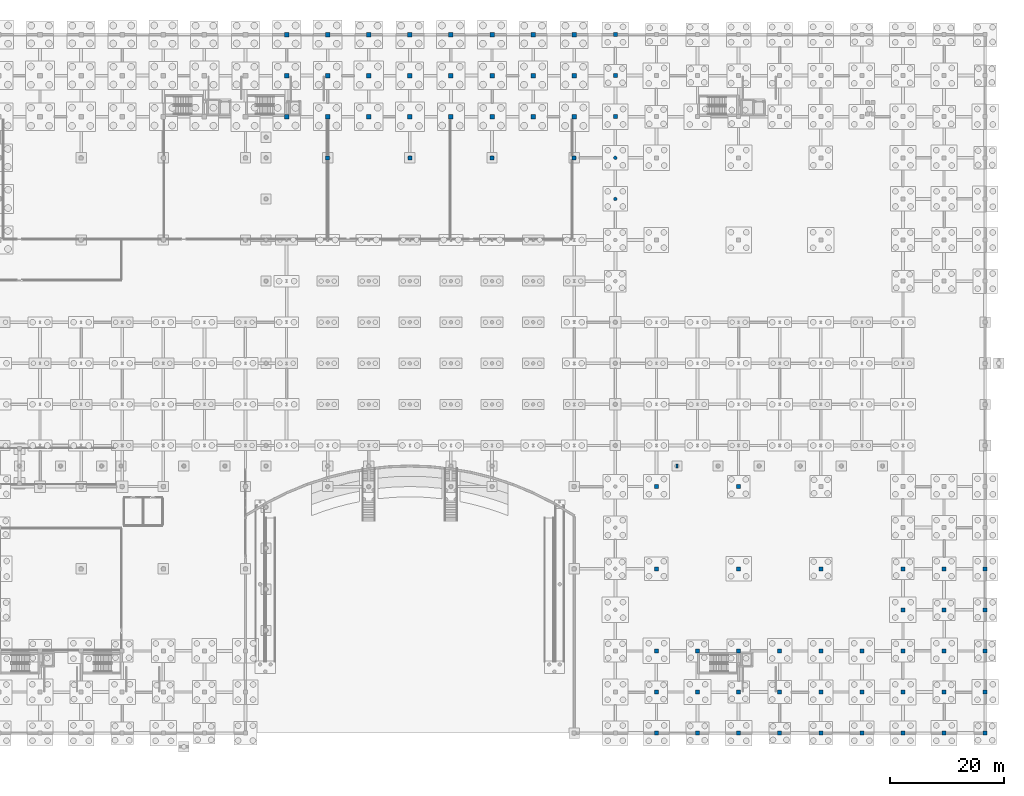
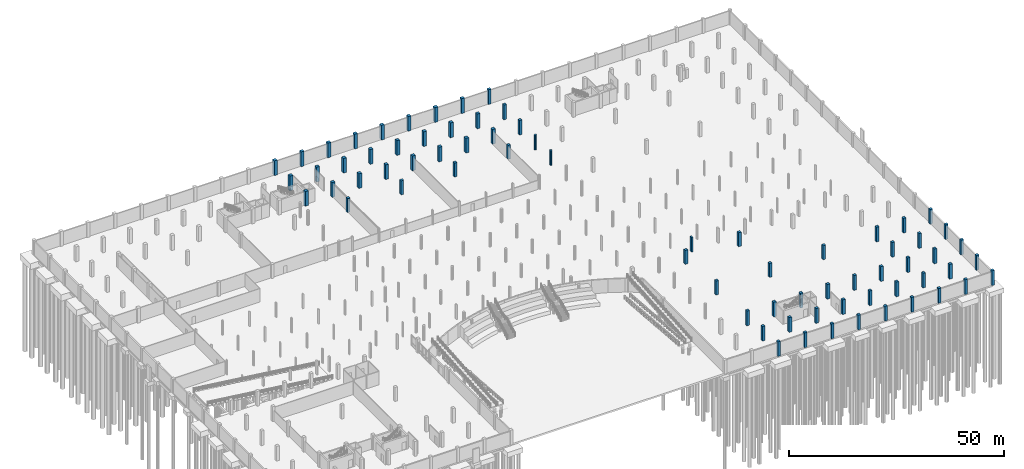
# One storey, part 30 of 56: 72 columns.
"""IFC4 building model written with IfcOpenShell, lengths in metres."""

import ifcopenshell
import ifcopenshell.guid

model = None  # the IFC model being written
_history = None  # IfcOwnerHistory: only IFC2X3 demands one
_inside = {}  # id of a spatial element -> (the spatial element, [elements in it])
_under = {}  # id of a project, library or spatial element -> (it, [spatial elements below it])
_declared = {}  # id of a project -> (the project, [libraries it declares])
_typed = {}  # id of a type object -> (the type object, [elements of that type])
_made_of = {}  # id of a material, layer set ... -> (it, [elements and type objects made of it])


def new_model(schema):
    """Start an empty IFC model of exactly this schema.

    Asked for "IFC4X3", IfcOpenShell would pick the latest addendum, in which some entities
    have other attributes; the version numbers below select the first issue.
    IFC2X3 requires an IfcOwnerHistory on every rooted entity: one is made here for all.
    """
    global model, _history
    if schema == "IFC4X3":
        model = ifcopenshell.file(schema_version=(4, 3, 0, 0))
    else:
        model = ifcopenshell.file(schema=schema)
    _inside.clear()
    _under.clear()
    _declared.clear()
    _typed.clear()
    _made_of.clear()
    _history = None
    if model.schema == "IFC2X3":
        org = make("IfcOrganization", Name="unknown")
        user = make(
            "IfcPersonAndOrganization",
            ThePerson=make("IfcPerson", FamilyName="unknown"),
            TheOrganization=org,
        )
        app = make(
            "IfcApplication",
            ApplicationDeveloper=org,
            Version="unknown",
            ApplicationFullName="unknown",
            ApplicationIdentifier="unknown",
        )
        _history = make(
            "IfcOwnerHistory",
            OwningUser=user,
            OwningApplication=app,
            ChangeAction="ADDED",
            CreationDate=0,
        )
    return model


def make(cls, **values):
    """One entity of the class cls with the attributes given. An attribute that is None is left unset."""
    return model.create_entity(
        cls, **{name: value for name, value in values.items() if value is not None}
    )


def rooted(cls, **values):
    """An entity with a GlobalId (a new one), such as an element, a storey or a relation."""
    return make(cls, GlobalId=ifcopenshell.guid.new(), OwnerHistory=_history, **values)


def si_unit(unit_type, name, prefix=None):
    """IfcSIUnit, for example si_unit("LENGTHUNIT", "METRE", prefix="MILLI")."""
    return make("IfcSIUnit", UnitType=unit_type, Prefix=prefix, Name=name)


def assignment(units):
    """IfcUnitAssignment: the units of a project."""
    return None if units is None else make("IfcUnitAssignment", Units=units)


def point(xyz):
    """IfcCartesianPoint."""
    return None if xyz is None else make("IfcCartesianPoint", Coordinates=xyz)


def direction(xyz):
    """IfcDirection."""
    return None if xyz is None else make("IfcDirection", DirectionRatios=xyz)


def frame(location, z_axis=None, x_axis=None):
    """IfcAxis2Placement3D, a coordinate frame: its origin and axes. An axis left out is left unset."""
    return make(
        "IfcAxis2Placement3D",
        Location=point(location),
        Axis=direction(z_axis),
        RefDirection=direction(x_axis),
    )


def frame_2d(location, x_axis=None):
    """IfcAxis2Placement2D, a coordinate frame in the plane: its origin and x axis."""
    return make(
        "IfcAxis2Placement2D", Location=point(location), RefDirection=direction(x_axis)
    )


def origin():
    """The frame at (0, 0, 0) with its axes left unset."""
    return frame((0.0, 0.0, 0.0))


def origin_2d():
    """The frame at (0, 0) in the plane with its x axis left unset."""
    return frame_2d((0.0, 0.0))


def place(relative_to, where):
    """IfcLocalPlacement: puts the frame where relative to a parent placement (None: the world)."""
    return make(
        "IfcLocalPlacement", PlacementRelTo=relative_to, RelativePlacement=where
    )


def context(
    kind, dimensions, precision=None, world=None, true_north=None, identifier=None
):
    """IfcGeometricRepresentationContext, for example the 3D "Model" context."""
    return make(
        "IfcGeometricRepresentationContext",
        ContextIdentifier=identifier,
        ContextType=kind,
        CoordinateSpaceDimension=dimensions,
        Precision=precision,
        WorldCoordinateSystem=world,
        TrueNorth=true_north,
    )


def subcontext(parent, identifier, kind, view, scale=None):
    """IfcGeometricRepresentationSubContext, for example "Body" below "Model"."""
    return make(
        "IfcGeometricRepresentationSubContext",
        ContextIdentifier=identifier,
        ContextType=kind,
        ParentContext=parent,
        TargetScale=scale,
        TargetView=view,
    )


def project(units=None, contexts=None):
    """IfcProject with its units and contexts."""
    return rooted(
        "IfcProject",
        Name="project",
        RepresentationContexts=contexts,
        UnitsInContext=assignment(units),
    )


def spatial(cls, under=None, at=None, **own):
    """A site, building, storey or space (cls), placed at a placement, below another one or the project."""
    s = rooted(cls, ObjectPlacement=at, **own)
    if under is not None:
        _under.setdefault(under.id(), (under, []))[1].append(s)
    return s


def profile(cls, at=None, kind="AREA", **sizes):
    """A parametric profile (cls). Its sizes go by their IFC names, for example OverallWidth=200.0."""
    return make(cls, ProfileType=kind, Position=at, **sizes)


def rectangle(**sizes):
    """IfcRectangleProfileDef."""
    return profile("IfcRectangleProfileDef", **sizes)


def circle(**sizes):
    """IfcCircleProfileDef."""
    return profile("IfcCircleProfileDef", **sizes)


def extrude(swept, where, along, depth):
    """IfcExtrudedAreaSolid: the profile swept, set in the frame where, extruded along a direction by depth."""
    return make(
        "IfcExtrudedAreaSolid",
        SweptArea=swept,
        Position=where,
        ExtrudedDirection=direction(along),
        Depth=depth,
    )


def shape(context_of_items, identifier, shape_type, items):
    """IfcShapeRepresentation: the items that make up one representation, for example the "Body"."""
    return make(
        "IfcShapeRepresentation",
        ContextOfItems=context_of_items,
        RepresentationIdentifier=identifier,
        RepresentationType=shape_type,
        Items=items,
    )


def material(Name=None, Category=None):
    """IfcMaterial."""
    return make("IfcMaterial", Name=Name, Category=Category)


def material_profile(
    of_material, cross_section, Name=None, Category=None, Priority=None
):
    """IfcMaterialProfile: a cross section and its material."""
    return make(
        "IfcMaterialProfile",
        Name=Name,
        Material=of_material,
        Profile=cross_section,
        Priority=Priority,
        Category=Category,
    )


def profile_set(profiles, Name=None, composite=None):
    """IfcMaterialProfileSet."""
    return make(
        "IfcMaterialProfileSet",
        Name=Name,
        MaterialProfiles=profiles,
        CompositeProfile=composite,
    )


def made_of(thing, what):
    """Note that an element or type object is made of a material, layer set ...; save() writes the relation."""
    if what is not None:
        _made_of.setdefault(what.id(), (what, []))[1].append(thing)
    return thing


def type_object(cls, material=None, **own):
    """A type object (cls), such as IfcWallType, which elements share."""
    return made_of(rooted(cls, **own), material)


def element(
    cls,
    number,
    at=None,
    inside=None,
    cuts=None,
    type_object=None,
    material=None,
    context=None,
    identifier="Body",
    shape_type=None,
    held_by="IfcProductDefinitionShape",
    body=None,
    shapes=None,
    **own,
):
    """One element of the class cls, such as IfcWall. Its Tag is "e" and its number.

    at: its placement. inside: the storey or other place that contains it. cuts: it is an
    opening in that element (IfcRelVoidsElement). A single representation is given by context,
    identifier, shape_type and body (its items); several are given by shapes. held_by: the class
    of the entity that holds the representations. save() writes the other relations.
    """
    e = rooted(cls, Tag="e%d" % number, ObjectPlacement=at, **own)
    if body is not None:
        shapes = [shape(context, identifier, shape_type, body)]
    if shapes is not None:
        e.Representation = make(held_by, Representations=shapes)
    if inside is not None:
        _inside.setdefault(inside.id(), (inside, []))[1].append(e)
    if cuts is not None:
        rooted(
            "IfcRelVoidsElement", RelatingBuildingElement=cuts, RelatedOpeningElement=e
        )
    if type_object is not None:
        _typed.setdefault(type_object.id(), (type_object, []))[1].append(e)
    return made_of(e, material)


def aggregate(whole, parts):
    """IfcRelAggregates: a whole, such as a stair, and the parts it consists of."""
    return rooted("IfcRelAggregates", RelatingObject=whole, RelatedObjects=parts)


def save(model, path):
    """Write the relations noted so far, then the file.

    IfcRelAggregates (storeys below a building ...), IfcRelContainedInSpatialStructure (elements
    in a storey), IfcRelDefinesByType, IfcRelAssociatesMaterial and IfcRelDeclares: one each for
    every whole, place, type object, material and project.
    """
    for whole, parts in _under.values():
        aggregate(whole, parts)
    for where, things in _inside.values():
        rooted(
            "IfcRelContainedInSpatialStructure",
            RelatedElements=things,
            RelatingStructure=where,
        )
    for kind, things in _typed.values():
        rooted("IfcRelDefinesByType", RelatedObjects=things, RelatingType=kind)
    for what, things in _made_of.values():
        rooted("IfcRelAssociatesMaterial", RelatedObjects=things, RelatingMaterial=what)
    for by, libraries in _declared.values():
        rooted("IfcRelDeclares", RelatingContext=by, RelatedDefinitions=libraries)
    model.write(path)


model = new_model("IFC4")

# Units and contexts
model_context = context("Model", 3, precision=1e-05, world=origin(), true_north=direction((0.0, 1.0)))
body_context = subcontext(model_context, "Body", "Model", "MODEL_VIEW")
ifc_project = project(units=[si_unit("LENGTHUNIT", "METRE"), si_unit("AREAUNIT", "SQUARE_METRE"), si_unit("VOLUMEUNIT", "CUBIC_METRE"), si_unit("PLANEANGLEUNIT", "RADIAN"), si_unit("MASSUNIT", "GRAM", prefix="KILO")], contexts=[model_context])

# Site, building, storey
site_placement = place(None, origin())
site = spatial("IfcSite", under=ifc_project, at=site_placement, CompositionType="ELEMENT")
building_placement = place(site_placement, origin())
building = spatial("IfcBuilding", under=site, at=building_placement, Name="Suanplinth Sawtooth Commons", CompositionType="ELEMENT")
storey_placement = place(building_placement, frame((0.0, 0.0, -4.199951171875)))
storey = spatial("IfcBuildingStorey", under=building, at=storey_placement, Name="B1", CompositionType="ELEMENT", Elevation=-4.199951171875)

# Columns
ifc_material_1 = material(Name="Concrete C40/50", Category="concrete")
ifc_material_profile_1 = material_profile(ifc_material_1, rectangle(XDim=0.800048828125, YDim=0.800048828125, at=origin_2d()), Name="RC-COL 800x800")
ifc_profile_set_1 = profile_set([ifc_material_profile_1], Name="Concrete C40/50")
column_type_1 = type_object("IfcColumnType", Name="C-01", PredefinedType="COLUMN", material=ifc_profile_set_1)
for number, where, z_axis, x_axis, name in (
    (1, (64.800048828125, 108.0, 0.0), (0.0, 0.0, 1.0), (1.0, 0.0, 0.0), "Column B1 10/R"),
    (2, (64.800048828125, 115.199951171875, 0.0), (0.0, 0.0, 1.0), (1.0, 0.0, 0.0), "Column B1 10/S"),
    (3, (64.800048828125, 122.39990234375, 0.0), (0.0, 0.0, 1.0), (1.0, 0.0, 0.0), "Column B1 10/T"),
    (4, (72.0, 108.0, 0.0), (0.0, 0.0, 1.0), (1.0, 0.0, 0.0), "Column B1 11/R"),
    (5, (72.0, 115.199951171875, 0.0), (0.0, 0.0, 1.0), (1.0, 0.0, 0.0), "Column B1 11/S"),
    (6, (72.0, 122.39990234375, 0.0), (0.0, 0.0, 1.0), (1.0, 0.0, 0.0), "Column B1 11/T"),
    (7, (79.199951171875, 108.0, 0.0), (0.0, 0.0, 1.0), (1.0, 0.0, 0.0), "Column B1 12/R"),
    (8, (79.199951171875, 115.199951171875, 0.0), (0.0, 0.0, 1.0), (1.0, 0.0, 0.0), "Column B1 12/S"),
    (9, (79.199951171875, 122.39990234375, 0.0), (0.0, 0.0, 1.0), (1.0, 0.0, 0.0), "Column B1 12/T"),
    (10, (86.39990234375, 108.0, 0.0), (0.0, 0.0, 1.0), (1.0, 0.0, 0.0), "Column B1 13/R"),
    (11, (86.39990234375, 115.199951171875, 0.0), (0.0, 0.0, 1.0), (1.0, 0.0, 0.0), "Column B1 13/S"),
    (12, (86.39990234375, 122.39990234375, 0.0), (0.0, 0.0, 1.0), (1.0, 0.0, 0.0), "Column B1 13/T"),
    (13, (93.60009765625, 108.0, 0.0), (0.0, 0.0, 1.0), (1.0, 0.0, 0.0), "Column B1 14/R"),
    (14, (93.60009765625, 115.199951171875, 0.0), (0.0, 0.0, 1.0), (1.0, 0.0, 0.0), "Column B1 14/S"),
    (15, (93.60009765625, 122.39990234375, 0.0), (0.0, 0.0, 1.0), (1.0, 0.0, 0.0), "Column B1 14/T"),
    (16, (100.800048828125, 108.0, 0.0), (0.0, 0.0, 1.0), (1.0, 0.0, 0.0), "Column B1 15/R"),
    (17, (100.800048828125, 115.199951171875, 0.0), (0.0, 0.0, 1.0), (1.0, 0.0, 0.0), "Column B1 15/S"),
    (18, (100.800048828125, 122.39990234375, 0.0), (0.0, 0.0, 1.0), (1.0, 0.0, 0.0), "Column B1 15/T"),
    (19, (108.0, 108.0, 0.0), (0.0, 0.0, 1.0), (1.0, 0.0, 0.0), "Column B1 16/R"),
    (20, (108.0, 115.199951171875, 0.0), (0.0, 0.0, 1.0), (1.0, 0.0, 0.0), "Column B1 16/S"),
    (21, (108.0, 122.39990234375, 0.0), (0.0, 0.0, 1.0), (1.0, 0.0, 0.0), "Column B1 16/T"),
    (22, (115.199951171875, 108.0, 0.0), (0.0, 0.0, 1.0), (1.0, 0.0, 0.0), "Column B1 17/R"),
    (23, (115.199951171875, 115.199951171875, 0.0), (0.0, 0.0, 1.0), (1.0, 0.0, 0.0), "Column B1 17/S"),
    (24, (115.199951171875, 122.39990234375, 0.0), (0.0, 0.0, 1.0), (1.0, 0.0, 0.0), "Column B1 17/T"),
):
    element("IfcColumn", number, at=place(storey_placement, frame(where, z_axis=z_axis, x_axis=x_axis)), inside=storey, type_object=column_type_1, Name=name, PredefinedType="COLUMN", context=body_context, shape_type="SweptSolid", body=[
        extrude(rectangle(XDim=0.800048828125, YDim=0.800048828125, at=origin_2d()), origin(), (0.0, 0.0, 1.0), 4.199951171875),
    ])
ifc_material_profile_2 = material_profile(ifc_material_1, rectangle(XDim=0.699951171875, YDim=0.699951171875, at=origin_2d()), Name="RC-COL 700x700")
ifc_profile_set_2 = profile_set([ifc_material_profile_2], Name="Concrete C40/50")
column_type_2 = type_object("IfcColumnType", Name="C-02", PredefinedType="COLUMN", material=ifc_profile_set_2)
for number, where, z_axis, x_axis, name in (
    (25, (72.0, 100.800048828125, 0.0), (0.0, 0.0, 1.0), (1.0, 0.0, 0.0), "Column B1 11/Q"),
    (26, (86.39990234375, 100.800048828125, 0.0), (0.0, 0.0, 1.0), (1.0, 0.0, 0.0), "Column B1 13/Q"),
    (27, (100.800048828125, 100.800048828125, 0.0), (0.0, 0.0, 1.0), (1.0, 0.0, 0.0), "Column B1 15/Q"),
    (28, (115.199951171875, 100.800048828125, 0.0), (0.0, 0.0, 1.0), (1.0, 0.0, 0.0), "Column B1 17/Q"),
):
    element("IfcColumn", number, at=place(storey_placement, frame(where, z_axis=z_axis, x_axis=x_axis)), inside=storey, type_object=column_type_2, Name=name, PredefinedType="COLUMN", context=body_context, shape_type="SweptSolid", body=[
        extrude(rectangle(XDim=0.699951171875, YDim=0.699951171875, at=origin_2d()), origin(), (0.0, 0.0, 1.0), 3.97998046875),
    ])
for number, where, z_axis, x_axis, name in (
    (29, (122.39990234375, 108.0, 0.0), (0.0, 0.0, 1.0), (1.0, 0.0, 0.0), "Column B1 18/R"),
    (30, (122.39990234375, 115.199951171875, 0.0), (0.0, 0.0, 1.0), (1.0, 0.0, 0.0), "Column B1 18/S"),
    (31, (122.39990234375, 122.39990234375, 0.0), (0.0, 0.0, 1.0), (1.0, 0.0, 0.0), "Column B1 18/T"),
    (32, (129.60009765625, 0.0, 0.0), (0.0, 0.0, 1.0), (1.0, 0.0, 0.0), "Column B1 19/A"),
    (33, (129.60009765625, 7.199951171875, 0.0), (0.0, 0.0, 1.0), (1.0, 0.0, 0.0), "Column B1 19/B"),
    (34, (129.60009765625, 14.39990234375, 0.0), (0.0, 0.0, 1.0), (1.0, 0.0, 0.0), "Column B1 19/C"),
):
    element("IfcColumn", number, at=place(storey_placement, frame(where, z_axis=z_axis, x_axis=x_axis)), inside=storey, type_object=column_type_2, Name=name, PredefinedType="COLUMN", context=body_context, shape_type="SweptSolid", body=[
        extrude(rectangle(XDim=0.699951171875, YDim=0.699951171875, at=origin_2d()), origin(), (0.0, 0.0, 1.0), 4.199951171875),
    ])
for number, where, z_axis, x_axis, name in (
    (35, (129.60009765625, 28.800048828125, 0.0), (0.0, 0.0, 1.0), (1.0, 0.0, 0.0), "Column B1 19/E"),
    (36, (129.60009765625, 43.199951171875, 0.0), (0.0, 0.0, 1.0), (1.0, 0.0, 0.0), "Column B1 19/G"),
):
    element("IfcColumn", number, at=place(storey_placement, frame(where, z_axis=z_axis, x_axis=x_axis)), inside=storey, type_object=column_type_2, Name=name, PredefinedType="COLUMN", context=body_context, shape_type="SweptSolid", body=[
        extrude(rectangle(XDim=0.699951171875, YDim=0.699951171875, at=origin_2d()), origin(), (0.0, 0.0, 1.0), 3.97998046875),
    ])
for number, where, z_axis, x_axis, name in (
    (37, (136.800048828125, 0.0, 0.0), (0.0, 0.0, 1.0), (1.0, 0.0, 0.0), "Column B1 20/A"),
    (38, (136.800048828125, 7.199951171875, 0.0), (0.0, 0.0, 1.0), (1.0, 0.0, 0.0), "Column B1 20/B"),
    (39, (136.800048828125, 14.39990234375, 0.0), (0.0, 0.0, 1.0), (1.0, 0.0, 0.0), "Column B1 20/C"),
    (40, (144.0, 0.0, 0.0), (0.0, 0.0, 1.0), (1.0, 0.0, 0.0), "Column B1 21/A"),
    (41, (144.0, 7.199951171875, 0.0), (0.0, 0.0, 1.0), (1.0, 0.0, 0.0), "Column B1 21/B"),
    (42, (144.0, 14.39990234375, 0.0), (0.0, 0.0, 1.0), (1.0, 0.0, 0.0), "Column B1 21/C"),
):
    element("IfcColumn", number, at=place(storey_placement, frame(where, z_axis=z_axis, x_axis=x_axis)), inside=storey, type_object=column_type_2, Name=name, PredefinedType="COLUMN", context=body_context, shape_type="SweptSolid", body=[
        extrude(rectangle(XDim=0.699951171875, YDim=0.699951171875, at=origin_2d()), origin(), (0.0, 0.0, 1.0), 4.199951171875),
    ])
for number, where, z_axis, x_axis, name in (
    (43, (144.0, 28.800048828125, 0.0), (0.0, 0.0, 1.0), (1.0, 0.0, 0.0), "Column B1 21/E"),
    (44, (144.0, 43.199951171875, 0.0), (0.0, 0.0, 1.0), (1.0, 0.0, 0.0), "Column B1 21/G"),
):
    element("IfcColumn", number, at=place(storey_placement, frame(where, z_axis=z_axis, x_axis=x_axis)), inside=storey, type_object=column_type_2, Name=name, PredefinedType="COLUMN", context=body_context, shape_type="SweptSolid", body=[
        extrude(rectangle(XDim=0.699951171875, YDim=0.699951171875, at=origin_2d()), origin(), (0.0, 0.0, 1.0), 3.97998046875),
    ])
for number, where, z_axis, x_axis, name in (
    (45, (151.199951171875, 0.0, 0.0), (0.0, 0.0, 1.0), (1.0, 0.0, 0.0), "Column B1 22/A"),
    (46, (151.199951171875, 7.199951171875, 0.0), (0.0, 0.0, 1.0), (1.0, 0.0, 0.0), "Column B1 22/B"),
    (47, (151.199951171875, 14.39990234375, 0.0), (0.0, 0.0, 1.0), (1.0, 0.0, 0.0), "Column B1 22/C"),
    (48, (158.39990234375, 0.0, 0.0), (0.0, 0.0, 1.0), (1.0, 0.0, 0.0), "Column B1 23/A"),
    (49, (158.39990234375, 7.199951171875, 0.0), (0.0, 0.0, 1.0), (1.0, 0.0, 0.0), "Column B1 23/B"),
    (50, (158.39990234375, 14.39990234375, 0.0), (0.0, 0.0, 1.0), (1.0, 0.0, 0.0), "Column B1 23/C"),
):
    element("IfcColumn", number, at=place(storey_placement, frame(where, z_axis=z_axis, x_axis=x_axis)), inside=storey, type_object=column_type_2, Name=name, PredefinedType="COLUMN", context=body_context, shape_type="SweptSolid", body=[
        extrude(rectangle(XDim=0.699951171875, YDim=0.699951171875, at=origin_2d()), origin(), (0.0, 0.0, 1.0), 4.199951171875),
    ])
column_1_placement = place(storey_placement, frame((158.39990234375, 28.800048828125, 0.0), z_axis=(0.0, 0.0, 1.0), x_axis=(1.0, 0.0, 0.0)))
element("IfcColumn", 51, at=column_1_placement, inside=storey, type_object=column_type_2, Name="Column B1 23/E", PredefinedType="COLUMN", context=body_context, shape_type="SweptSolid", body=[
    extrude(rectangle(XDim=0.699951171875, YDim=0.699951171875, at=origin_2d()), origin(), (0.0, 0.0, 1.0), 3.97998046875),
])
for number, where, z_axis, x_axis, name in (
    (52, (165.60009765625, 0.0, 0.0), (0.0, 0.0, 1.0), (1.0, 0.0, 0.0), "Column B1 24/A"),
    (53, (165.60009765625, 7.199951171875, 0.0), (0.0, 0.0, 1.0), (1.0, 0.0, 0.0), "Column B1 24/B"),
    (54, (165.60009765625, 14.39990234375, 0.0), (0.0, 0.0, 1.0), (1.0, 0.0, 0.0), "Column B1 24/C"),
    (55, (172.800048828125, 0.0, 0.0), (0.0, 0.0, 1.0), (1.0, 0.0, 0.0), "Column B1 25/A"),
    (56, (172.800048828125, 7.199951171875, 0.0), (0.0, 0.0, 1.0), (1.0, 0.0, 0.0), "Column B1 25/B"),
    (57, (172.800048828125, 14.39990234375, 0.0), (0.0, 0.0, 1.0), (1.0, 0.0, 0.0), "Column B1 25/C"),
    (58, (172.800048828125, 21.60009765625, 0.0), (0.0, 0.0, 1.0), (1.0, 0.0, 0.0), "Column B1 25/D"),
    (59, (172.800048828125, 28.800048828125, 0.0), (0.0, 0.0, 1.0), (1.0, 0.0, 0.0), "Column B1 25/E"),
    (60, (180.0, 0.0, 0.0), (0.0, 0.0, 1.0), (1.0, 0.0, 0.0), "Column B1 26/A"),
    (61, (180.0, 7.199951171875, 0.0), (0.0, 0.0, 1.0), (1.0, 0.0, 0.0), "Column B1 26/B"),
    (62, (180.0, 14.39990234375, 0.0), (0.0, 0.0, 1.0), (1.0, 0.0, 0.0), "Column B1 26/C"),
    (63, (180.0, 21.60009765625, 0.0), (0.0, 0.0, 1.0), (1.0, 0.0, 0.0), "Column B1 26/D"),
    (64, (180.0, 28.800048828125, 0.0), (0.0, 0.0, 1.0), (1.0, 0.0, 0.0), "Column B1 26/E"),
    (65, (187.199951171875, 0.0, 0.0), (0.0, 0.0, 1.0), (1.0, 0.0, 0.0), "Column B1 27/A"),
    (66, (187.199951171875, 7.199951171875, 0.0), (0.0, 0.0, 1.0), (1.0, 0.0, 0.0), "Column B1 27/B"),
    (67, (187.199951171875, 14.39990234375, 0.0), (0.0, 0.0, 1.0), (1.0, 0.0, 0.0), "Column B1 27/C"),
    (68, (187.199951171875, 21.60009765625, 0.0), (0.0, 0.0, 1.0), (1.0, 0.0, 0.0), "Column B1 27/D"),
    (69, (187.199951171875, 28.800048828125, 0.0), (0.0, 0.0, 1.0), (1.0, 0.0, 0.0), "Column B1 27/E"),
):
    element("IfcColumn", number, at=place(storey_placement, frame(where, z_axis=z_axis, x_axis=x_axis)), inside=storey, type_object=column_type_2, Name=name, PredefinedType="COLUMN", context=body_context, shape_type="SweptSolid", body=[
        extrude(rectangle(XDim=0.699951171875, YDim=0.699951171875, at=origin_2d()), origin(), (0.0, 0.0, 1.0), 4.199951171875),
    ])
ifc_material_profile_3 = material_profile(ifc_material_1, circle(Radius=0.300048828125, at=origin_2d()), Name="RC-CIRC D600")
ifc_profile_set_3 = profile_set([ifc_material_profile_3], Name="Concrete C40/50")
column_type_3 = type_object("IfcColumnType", Name="C-08", PredefinedType="COLUMN", material=ifc_profile_set_3)
for number, where, z_axis, x_axis, name in (
    (70, (122.39990234375, 93.60009765625, 0.0), (0.0, 0.0, 1.0), (1.0, 0.0, 0.0), "Column B1 18/P"),
    (71, (122.39990234375, 100.800048828125, 0.0), (0.0, 0.0, 1.0), (1.0, 0.0, 0.0), "Column B1 18/Q"),
):
    element("IfcColumn", number, at=place(storey_placement, frame(where, z_axis=z_axis, x_axis=x_axis)), inside=storey, type_object=column_type_3, Name=name, PredefinedType="COLUMN", context=body_context, shape_type="SweptSolid", body=[
        extrude(circle(Radius=0.300048828125, at=origin_2d()), origin(), (0.0, 0.0, 1.0), 4.199951171875),
    ])
ifc_material_2 = material(Name="Precast concrete C40/50", Category="concrete")
ifc_material_profile_4 = material_profile(ifc_material_2, rectangle(XDim=0.39990234375, YDim=0.64990234375, at=origin_2d()), Name="PC-PIL 400x650")
ifc_profile_set_4 = profile_set([ifc_material_profile_4], Name="Precast concrete C40/50")
column_type_4 = type_object("IfcColumnType", Name="C-14", PredefinedType="PILASTER", material=ifc_profile_set_4)
column_2_placement = place(storey_placement, frame((133.199951171875, 46.800048828125, 0.0), z_axis=(0.0, 0.0, 1.0), x_axis=(1.0, 0.0, 0.0)))
element("IfcColumn", 72, at=column_2_placement, inside=storey, type_object=column_type_4, Name="Veranda Colonnade Pilaster B1 P7", PredefinedType="PILASTER", context=body_context, shape_type="SweptSolid", body=[
    extrude(rectangle(XDim=0.39990234375, YDim=0.64990234375, at=origin_2d()), origin(), (0.0, 0.0, 1.0), 4.199951171875),
])

save(model, "model.ifc")
